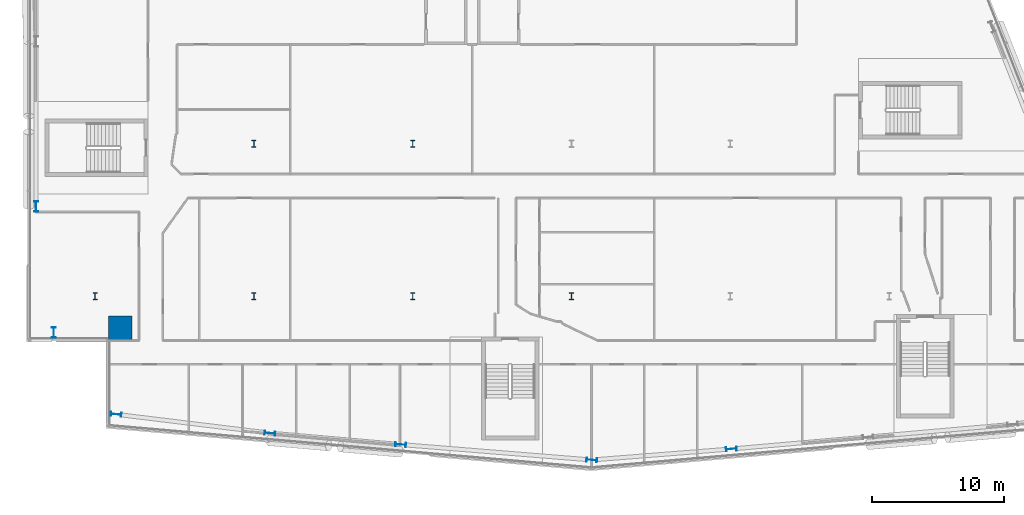
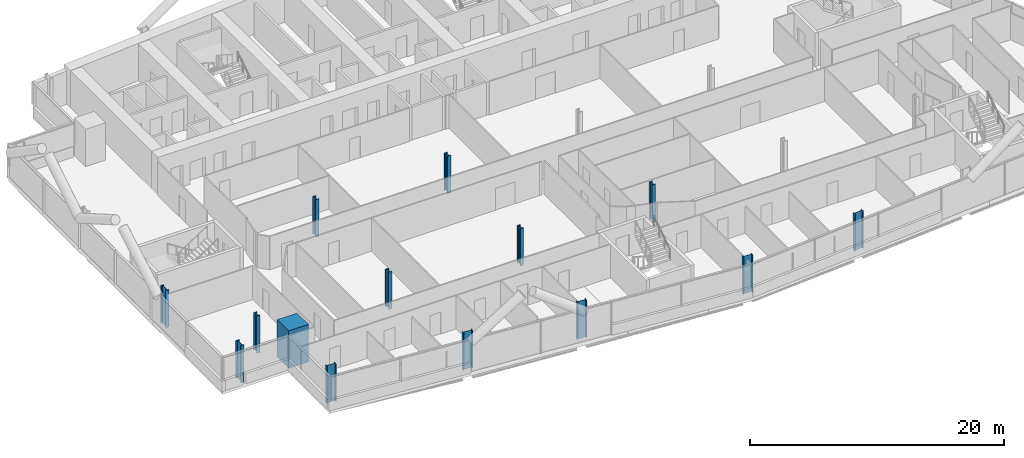
# One storey, part 1 of 27: 14 columns.
"""IFC4 building model written with IfcOpenShell, lengths in metres."""

from ifc_helpers import new_model, si_unit, direction, frame, origin, origin_2d, place, context, subcontext, project, spatial, rectangle, i_section, extrude, material, material_profile, profile_set, type_object, element, save


model = new_model("IFC4")

# Units and contexts
model_context = context("Model", 3, precision=1e-05, world=origin(), true_north=direction((0.0, 1.0)))
body_context = subcontext(model_context, "Body", "Model", "MODEL_VIEW")
ifc_project = project(units=[si_unit("LENGTHUNIT", "METRE"), si_unit("AREAUNIT", "SQUARE_METRE"), si_unit("VOLUMEUNIT", "CUBIC_METRE"), si_unit("PLANEANGLEUNIT", "RADIAN"), si_unit("MASSUNIT", "GRAM", prefix="KILO")], contexts=[model_context])

# Site, building, storey
site_placement = place(None, origin())
site = spatial("IfcSite", under=ifc_project, at=site_placement, CompositionType="ELEMENT")
building_placement = place(site_placement, origin())
building = spatial("IfcBuilding", under=site, at=building_placement, Name="Wharfspan Tower", CompositionType="ELEMENT")
storey_placement = place(building_placement, frame((0.0, 0.0, 136.300049)))
storey = spatial("IfcBuildingStorey", under=building, at=storey_placement, Name="L32", CompositionType="ELEMENT", Elevation=136.300049)

# Columns
ifc_material_1 = material(Name="Steel S355J2", Category="steel")
ifc_material_profile_1 = material_profile(ifc_material_1, i_section(OverallWidth=0.305908, OverallDepth=0.523926, WebThickness=0.020996, FlangeThickness=0.040039, FilletRadius=0.0271, at=origin_2d()))
ifc_profile_set_1 = profile_set([ifc_material_profile_1], Name="Steel S355J2")
column_type_1 = type_object("IfcColumnType", Name="Column HEM 500", PredefinedType="COLUMN", material=ifc_profile_set_1)
for number, where, z_axis, x_axis, name in (
    (1, (12.0, 11.5, 0.0), (0.0, 0.0, 1.0), (1.0, 0.0, 0.0), "Interior column I.1.1 L32"),
    (2, (24.0, 11.5, 0.0), (0.0, 0.0, 1.0), (1.0, 0.0, 0.0), "Interior column I.1.2 L32"),
    (3, (36.0, 11.5, 0.0), (0.0, 0.0, 1.0), (1.0, 0.0, 0.0), "Interior column I.1.3 L32"),
    (4, (48.0, 11.5, 0.0), (0.0, 0.0, 1.0), (1.0, 0.0, 0.0), "Interior column I.1.4 L32"),
    (5, (24.0, 23.0, 0.0), (0.0, 0.0, 1.0), (1.0, 0.0, 0.0), "Interior column I.2.1 L32"),
    (6, (36.0, 23.0, 0.0), (0.0, 0.0, 1.0), (1.0, 0.0, 0.0), "Interior column I.2.2 L32"),
):
    element("IfcColumn", number, at=place(storey_placement, frame(where, z_axis=z_axis, x_axis=x_axis)), inside=storey, type_object=column_type_1, Name=name, PredefinedType="COLUMN", context=body_context, shape_type="SweptSolid", body=[
        extrude(i_section(OverallWidth=0.305908, OverallDepth=0.523926, WebThickness=0.020996, FlangeThickness=0.040039, FilletRadius=0.0271, at=origin_2d()), origin(), (0.0, 0.0, 1.0), 3.599854),
    ])
ifc_material_profile_2 = material_profile(ifc_material_1, i_section(OverallWidth=0.302979, OverallDepth=0.813965, WebThickness=0.020996, FlangeThickness=0.040039, FilletRadius=0.030029, at=origin_2d()))
ifc_profile_set_2 = profile_set([ifc_material_profile_2], Name="Steel S355J2")
column_type_2 = type_object("IfcColumnType", Name="Column HEM 800", PredefinedType="COLUMN", material=ifc_profile_set_2)
for number, where, z_axis, x_axis, name in (
    (7, (13.590576, 2.569336, 0.0), (0.0, 0.0, 1.0), (-0.087156, -0.996198, 0.0), "Perimeter column PS1.1 L32"),
    (8, (25.213623, 1.148682, 0.0), (0.0, 0.0, 1.0), (-0.087156, -0.996198, 0.0), "Perimeter column PS1.2 L32"),
    (9, (35.089111, 0.284668, 0.0), (0.0, 0.0, 1.0), (-0.087156, -0.996198, 0.0), "Perimeter column PS1.3 L32"),
    (10, (49.53125, -0.881592, 0.0), (0.0, 0.0, 1.0), (-0.087156, -0.996198, 0.0), "Perimeter column PS1.4 L32"),
    (11, (60.077881, -0.050781, 0.0), (0.0, 0.0, 1.0), (0.087156, -0.996198, 0.0), "Perimeter column PS2.1 L32"),
    (12, (7.540039, 18.266602, 0.0), (0.0, 0.0, 1.0), (-1.0, 0.0, 0.0), "Perimeter column PW.2 L32"),
    (13, (8.884521, 8.742676, 0.0), (0.0, 0.0, 1.0), (-1.0, 0.0, 0.0), "Perimeter column PW.3 L32"),
):
    element("IfcColumn", number, at=place(storey_placement, frame(where, z_axis=z_axis, x_axis=x_axis)), inside=storey, type_object=column_type_2, Name=name, PredefinedType="COLUMN", context=body_context, shape_type="SweptSolid", body=[
        extrude(i_section(OverallWidth=0.302979, OverallDepth=0.813965, WebThickness=0.020996, FlangeThickness=0.040039, FilletRadius=0.030029, at=origin_2d()), origin(), (0.0, 0.0, 1.0), 3.599854),
    ])
ifc_material_2 = material(Name="Concrete C70/85", Category="concrete")
ifc_material_profile_3 = material_profile(ifc_material_2, rectangle(XDim=1.800049, YDim=1.800049, at=origin_2d()))
ifc_profile_set_3 = profile_set([ifc_material_profile_3], Name="Concrete C70/85")
column_type_3 = type_object("IfcColumnType", Name="Mega column 1800 C70/85", PredefinedType="COLUMN", material=ifc_profile_set_3)
column_placement = place(storey_placement, frame((13.899902, 9.100098, 0.0), z_axis=(0.0, 0.0, 1.0), x_axis=(1.0, 0.0, 0.0)))
element("IfcColumn", 14, at=column_placement, inside=storey, type_object=column_type_3, Name="Mega column MC1 L32", PredefinedType="COLUMN", context=body_context, shape_type="SweptSolid", body=[
    extrude(rectangle(XDim=1.800049, YDim=1.800049, at=origin_2d()), origin(), (0.0, 0.0, 1.0), 3.599854),
])

save(model, "model.ifc")
